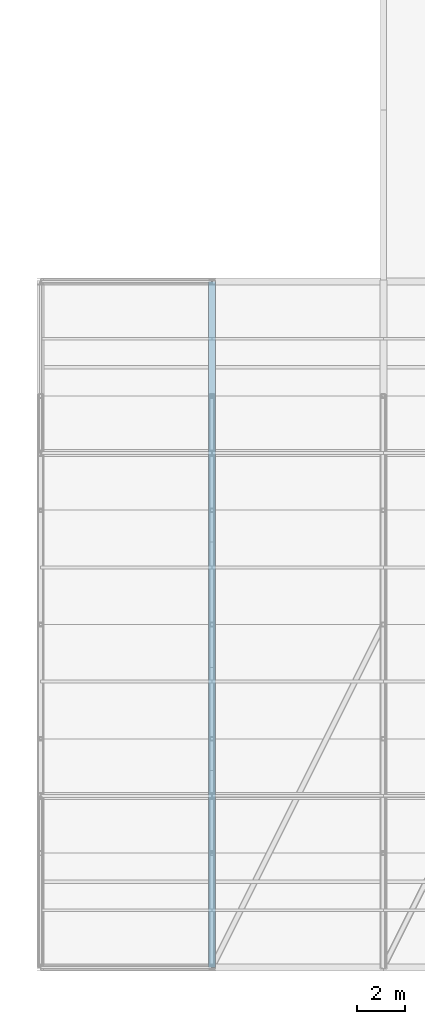
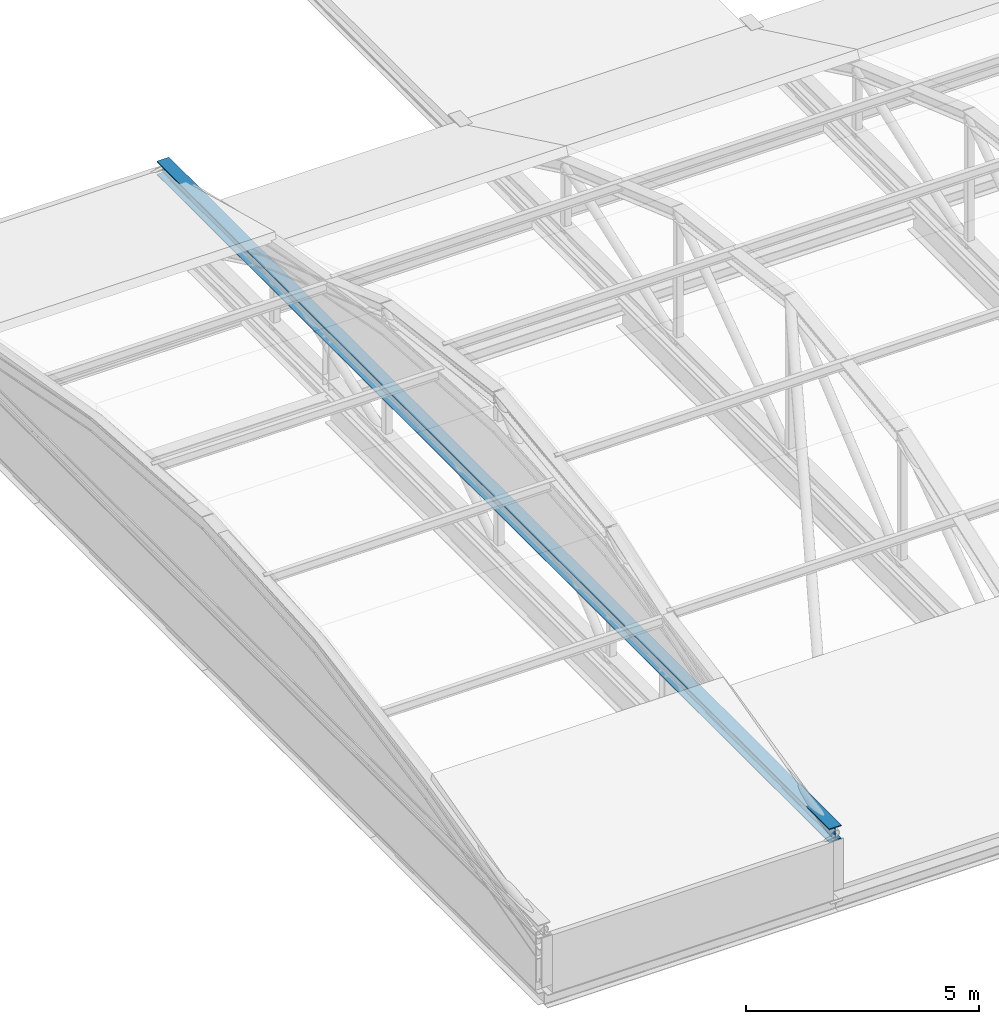
# One storey, part 18 of 103: 1 member.
"""IFC4 building model written with IfcOpenShell, lengths in metres."""

from ifc_helpers import new_model, si_unit, direction, frame, origin, origin_2d, place, context, subcontext, project, spatial, i_section, extrude, material, material_profile, profile_set, type_object, element, save


model = new_model("IFC4")

# Units and contexts
model_context = context("Model", 3, precision=1e-05, world=origin(), true_north=direction((0.0, 1.0)))
body_context = subcontext(model_context, "Body", "Model", "MODEL_VIEW")
ifc_project = project(units=[si_unit("LENGTHUNIT", "METRE"), si_unit("AREAUNIT", "SQUARE_METRE"), si_unit("VOLUMEUNIT", "CUBIC_METRE"), si_unit("PLANEANGLEUNIT", "RADIAN"), si_unit("MASSUNIT", "GRAM", prefix="KILO")], contexts=[model_context])

# Site, building, storey
site_placement = place(None, origin())
site = spatial("IfcSite", under=ifc_project, at=site_placement, CompositionType="ELEMENT")
building_placement = place(site_placement, origin())
building = spatial("IfcBuilding", under=site, at=building_placement, Name="Zlatovets Crest Museum", CompositionType="ELEMENT")
storey_placement = place(building_placement, frame((0.0, 0.0, 12.89990234375)))
storey = spatial("IfcBuildingStorey", under=building, at=storey_placement, Name="L03", CompositionType="ELEMENT", Elevation=12.89990234375)

# Member
ifc_material = material(Name="Structural steel S355J2", Category="steel")
ifc_material_profile = material_profile(ifc_material, i_section(OverallWidth=0.300048828125, OverallDepth=0.360107421875, WebThickness=0.012451171875, FlangeThickness=0.0224609375, FilletRadius=0.027099609375, at=origin_2d()), Name="HEB 360")
ifc_profile_set = profile_set([ifc_material_profile], Name="Structural steel S355J2")
member_type = type_object("IfcMemberType", Name="Member_TM-01", PredefinedType="CHORD", material=ifc_profile_set)
member_placement = place(storey_placement, frame((7.199951171875, 0.0, 1.380126953125), z_axis=(0.0, 1.0, 0.0), x_axis=(-1.0, 0.0, 0.0)))
element("IfcMember", 1, at=member_placement, inside=storey, type_object=member_type, Name="V3 Art Nouveau Barrel Vault Tie Chord", PredefinedType="CHORD", context=body_context, shape_type="SweptSolid", body=[
    extrude(i_section(OverallWidth=0.300048828125, OverallDepth=0.360107421875, WebThickness=0.012451171875, FlangeThickness=0.0224609375, FilletRadius=0.027099609375, at=origin_2d()), origin(), (0.0, 0.0, 1.0), 28.800048828125),
])

save(model, "model.ifc")
